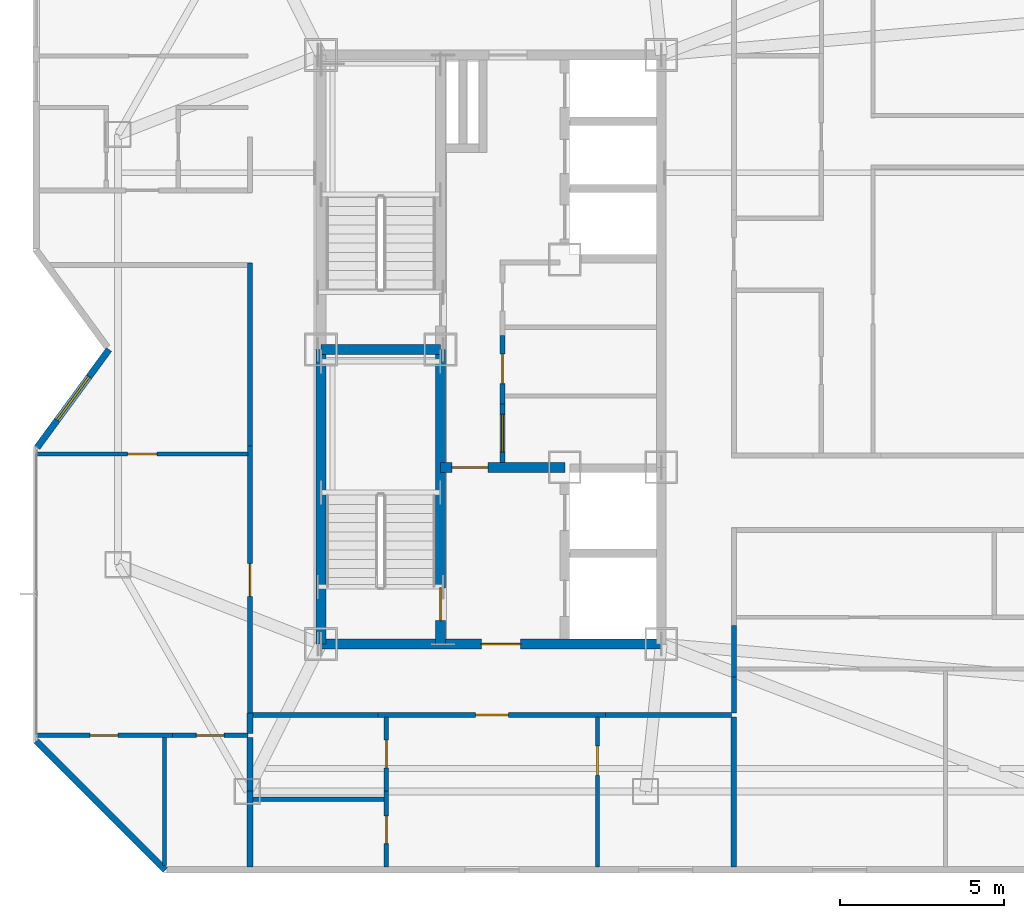
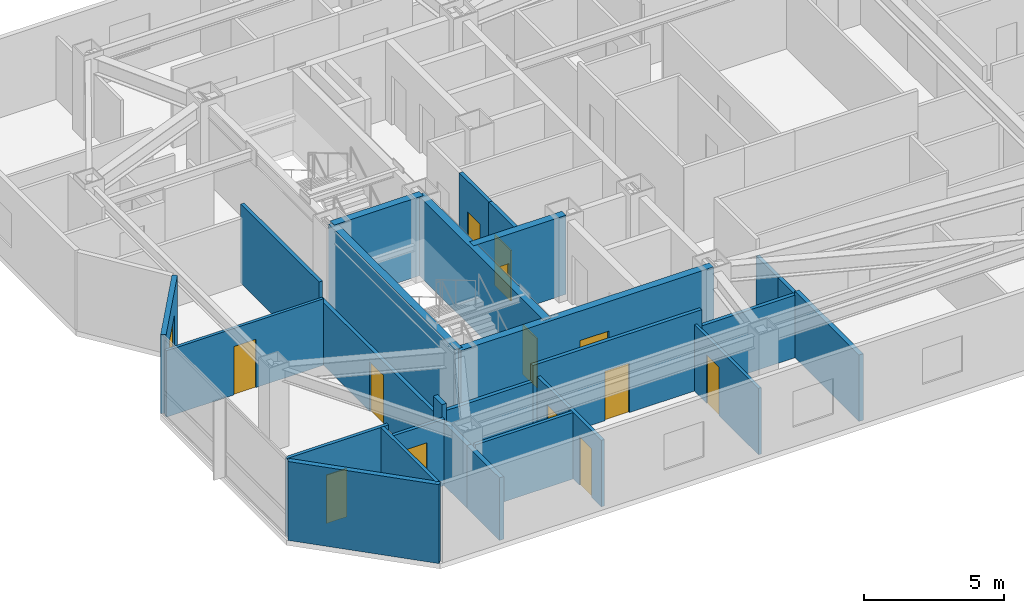
# One storey, part 8 of 14: 28 walls, 13 doors, 1 window, 14 openings.
"""IFC4 building model written with IfcOpenShell, lengths in metres."""

from ifc_helpers import new_model, si_unit, direction, frame, frame_2d, origin, place, context, subcontext, project, spatial, rectangle, extrude, material, layer, layer_set, type_object, element, fill, save


model = new_model("IFC4")

# Units and contexts
model_context = context("Model", 3, precision=1e-05, world=origin(), true_north=direction((0.0, 1.0)))
body_context = subcontext(model_context, "Body", "Model", "MODEL_VIEW")
ifc_project = project(units=[si_unit("LENGTHUNIT", "METRE"), si_unit("AREAUNIT", "SQUARE_METRE"), si_unit("VOLUMEUNIT", "CUBIC_METRE"), si_unit("PLANEANGLEUNIT", "RADIAN"), si_unit("MASSUNIT", "GRAM", prefix="KILO")], contexts=[model_context])

# Site, building, storey
site_placement = place(None, origin())
site = spatial("IfcSite", under=ifc_project, at=site_placement, CompositionType="ELEMENT")
building_placement = place(site_placement, origin())
building = spatial("IfcBuilding", under=site, at=building_placement, Name="Khamvora Tower", CompositionType="ELEMENT")
storey_placement = place(building_placement, frame((0.0, 0.0, 253.699951171875)))
storey = spatial("IfcBuildingStorey", under=building, at=storey_placement, Name="L65", CompositionType="ELEMENT", Elevation=253.699951171875)

# Wall
ifc_material_1 = material(Name="Concrete C50/60", Category="concrete")
ifc_layer_1 = layer(ifc_material_1, 0.300048828125)
ifc_layer_set_1 = layer_set([ifc_layer_1], Name="Concrete C50/60")
wall_type_1 = type_object("IfcWallType", Name="WAL-CORE-300", PredefinedType="SHEAR", material=ifc_layer_set_1)
wall_1_placement = place(storey_placement, frame((29.0, 19.0, 0.0), z_axis=(0.0, 0.0, 1.0), x_axis=(0.0, 1.0, 0.0)))
element("IfcWall", 1, at=wall_1_placement, inside=storey, type_object=wall_type_1, Name="L65 central core west south wall", PredefinedType="SHEAR", context=body_context, shape_type="SweptSolid", body=[
    extrude(rectangle(XDim=9.0, YDim=0.300048828125, at=frame_2d((4.5, 0.0))), origin(), (0.0, 0.0, 1.0), 3.429931640625),
])

# Wall, opening, door
wall_2_placement = place(storey_placement, frame((29.0, 19.0, 0.0), z_axis=(0.0, 0.0, 1.0), x_axis=(1.0, 0.0, 0.0)))
wall_2 = element("IfcWall", 2, at=wall_2_placement, inside=storey, type_object=wall_type_1, Name="L65 central core south wall", PredefinedType="SHEAR", context=body_context, shape_type="SweptSolid", body=[
    extrude(rectangle(XDim=10.39990234375, YDim=0.300048828125, at=frame_2d((5.199951171875, 0.0))), origin(), (0.0, 0.0, 1.0), 3.429931640625),
])
opening_1_placement = place(wall_2_placement, frame((4.89990234375, 0.0, 0.0)))
opening_1 = element("IfcOpeningElement", 3, at=opening_1_placement, cuts=wall_2, Name="Opening D-CR1", PredefinedType="OPENING", context=body_context, shape_type="SweptSolid", body=[
    extrude(rectangle(XDim=1.199951171875, YDim=2.14990234375, at=frame_2d((0.60009765625, 1.074951171875))), frame((0.0, 0.159912109375, 0.0), z_axis=(0.0, -1.0, 0.0), x_axis=(1.0, 0.0, 0.0)), (0.0, 0.0, 1.0), 0.320068359375),
])
ifc_material_2 = material(Name="Powder-Coated Steel and Hardwood Leaf", Category="steel")
door_type_1 = type_object("IfcDoorType", Name="DOR-CORR-1200", OperationType="NOTDEFINED", PredefinedType="DOOR", material=ifc_material_2)
door_1_placement = place(opening_1_placement, origin())
door_1 = element("IfcDoor", 4, at=door_1_placement, inside=storey, type_object=door_type_1, Name="L65 south core lobby to corridor fire door", OperationType="SINGLE_SWING_RIGHT", OverallHeight=2.14990234375, OverallWidth=1.199951171875, PredefinedType="DOOR", context=body_context, shape_type="SweptSolid", body=[
    extrude(rectangle(XDim=1.199951171875, YDim=2.14990234375, at=frame_2d((0.60009765625, 1.074951171875))), frame((0.0, 0.02490234375, 0.0), z_axis=(0.0, -1.0, 0.0), x_axis=(1.0, 0.0, 0.0)), (0.0, 0.0, 1.0), 0.050048828125),
])
fill(opening_1, door_1)

wall_3_placement = place(storey_placement, frame((32.64990234375, 19.0, 0.0), z_axis=(0.0, 0.0, 1.0), x_axis=(0.0, 1.0, 0.0)))
wall_3 = element("IfcWall", 5, at=wall_3_placement, inside=storey, type_object=wall_type_1, Name="L65 central core stair south spine wall", PredefinedType="SHEAR", context=body_context, shape_type="SweptSolid", body=[
    extrude(rectangle(XDim=9.0, YDim=0.300048828125, at=frame_2d((4.5, 0.0))), origin(), (0.0, 0.0, 1.0), 3.429931640625),
])
opening_2_placement = place(wall_3_placement, frame((0.719970703125, 0.0, 0.0)))
opening_2 = element("IfcOpeningElement", 6, at=opening_2_placement, cuts=wall_3, Name="Opening D-ST1", PredefinedType="OPENING", context=body_context, shape_type="SweptSolid", body=[
    extrude(rectangle(XDim=1.0, YDim=2.14990234375, at=frame_2d((0.5, 1.074951171875))), frame((0.0, 0.159912109375, 0.0), z_axis=(0.0, -1.0, 0.0), x_axis=(1.0, 0.0, 0.0)), (0.0, 0.0, 1.0), 0.320068359375),
])
door_type_2 = type_object("IfcDoorType", Name="DOR-STAIR-1000", OperationType="NOTDEFINED", PredefinedType="DOOR", material=ifc_material_2)
door_2_placement = place(opening_2_placement, origin())
door_2 = element("IfcDoor", 7, at=door_2_placement, inside=storey, type_object=door_type_2, Name="L65 exit stair ST-01 fire door", OperationType="SINGLE_SWING_RIGHT", OverallHeight=2.14990234375, OverallWidth=1.0, PredefinedType="DOOR", context=body_context, shape_type="SweptSolid", body=[
    extrude(rectangle(XDim=1.0, YDim=2.14990234375, at=frame_2d((0.5, 1.074951171875))), frame((0.0, 0.02490234375, 0.0), z_axis=(0.0, -1.0, 0.0), x_axis=(1.0, 0.0, 0.0)), (0.0, 0.0, 1.0), 0.050048828125),
])
fill(opening_2, door_2)

# Wall
wall_4_placement = place(storey_placement, frame((29.0, 28.0, 0.0), z_axis=(0.0, 0.0, 1.0), x_axis=(1.0, 0.0, 0.0)))
element("IfcWall", 8, at=wall_4_placement, inside=storey, type_object=wall_type_1, Name="L65 central core stair cross wall", PredefinedType="SHEAR", context=body_context, shape_type="SweptSolid", body=[
    extrude(rectangle(XDim=3.64990234375, YDim=0.300048828125, at=frame_2d((1.824951171875, 0.0))), origin(), (0.0, 0.0, 1.0), 3.429931640625),
])

# Wall, opening, door
wall_5_placement = place(storey_placement, frame((32.64990234375, 24.39990234375, 0.0), z_axis=(0.0, 0.0, 1.0), x_axis=(1.0, 0.0, 0.0)))
wall_5 = element("IfcWall", 9, at=wall_5_placement, inside=storey, type_object=wall_type_1, Name="L65 central core firefighting lobby north wall", PredefinedType="SHEAR", context=body_context, shape_type="SweptSolid", body=[
    extrude(rectangle(XDim=3.800048828125, YDim=0.300048828125, at=frame_2d((1.89990234375, 0.0))), origin(), (0.0, 0.0, 1.0), 3.429931640625),
])
opening_3_placement = place(wall_5_placement, frame((0.35009765625, 0.0, 0.0)))
opening_3 = element("IfcOpeningElement", 10, at=opening_3_placement, cuts=wall_5, Name="Opening D-FF1", PredefinedType="OPENING", context=body_context, shape_type="SweptSolid", body=[
    extrude(rectangle(XDim=1.10009765625, YDim=2.14990234375, at=frame_2d((0.550048828125, 1.074951171875))), frame((0.0, 0.159912109375, 0.0), z_axis=(0.0, -1.0, 0.0), x_axis=(1.0, 0.0, 0.0)), (0.0, 0.0, 1.0), 0.320068359375),
])
door_type_3 = type_object("IfcDoorType", Name="DOR-FFLOB-1100", OperationType="NOTDEFINED", PredefinedType="DOOR", material=ifc_material_2)
door_3_placement = place(opening_3_placement, origin())
door_3 = element("IfcDoor", 11, at=door_3_placement, inside=storey, type_object=door_type_3, Name="L65 firefighting lobby smoke-seal fire door", OperationType="SINGLE_SWING_LEFT", OverallHeight=2.14990234375, OverallWidth=1.10009765625, PredefinedType="DOOR", context=body_context, shape_type="SweptSolid", body=[
    extrude(rectangle(XDim=1.10009765625, YDim=2.14990234375, at=frame_2d((0.550048828125, 1.074951171875))), frame((0.0, 0.02490234375, 0.0), z_axis=(0.0, -1.0, 0.0), x_axis=(1.0, 0.0, 0.0)), (0.0, 0.0, 1.0), 0.050048828125),
])
fill(opening_3, door_3)

ifc_material_3 = material(Name="Fire-Rated Drywall and Steel Stud", Category="steel")
ifc_layer_2 = layer(ifc_material_3, 0.14990234375)
ifc_layer_set_2 = layer_set([ifc_layer_2], Name="Fire-Rated Drywall and Steel Stud")
wall_type_2 = type_object("IfcWallType", Name="WAL-CORR-150", PredefinedType="STANDARD", material=ifc_layer_set_2)
wall_6_placement = place(storey_placement, frame((34.544921875, 28.43603515625, 0.0), z_axis=(0.0, 0.0, 1.0), x_axis=(0.0, -1.0, 0.0)))
wall_6 = element("IfcWall", 12, at=wall_6_placement, inside=storey, type_object=wall_type_2, Name="L65 interior partition wall 003", PredefinedType="STANDARD", context=body_context, shape_type="SweptSolid", body=[
    extrude(rectangle(XDim=2.10009765625, YDim=0.14990234375, at=frame_2d((1.050048828125, 0.0))), origin(), (0.0, 0.0, 1.0), 3.429931640625),
])
opening_4_placement = place(wall_6_placement, frame((0.5791015625, 0.0, 0.0)))
opening_4 = element("IfcOpeningElement", 13, at=opening_4_placement, cuts=wall_6, Name="Opening D-RM1", PredefinedType="OPENING", context=body_context, shape_type="SweptSolid", body=[
    extrude(rectangle(XDim=0.89990234375, YDim=2.10009765625, at=frame_2d((0.449951171875, 1.050048828125))), frame((0.0, 0.0849609375, 0.0), z_axis=(0.0, -1.0, 0.0), x_axis=(1.0, 0.0, 0.0)), (0.0, 0.0, 1.0), 0.169921875),
])
door_type_4 = type_object("IfcDoorType", Name="DOR-ROOM-900", OperationType="NOTDEFINED", PredefinedType="DOOR", material=ifc_material_2)
door_4_placement = place(opening_4_placement, origin())
door_4 = element("IfcDoor", 14, at=door_4_placement, inside=storey, type_object=door_type_4, Name="L65 interior door PHL-CS2", OperationType="SINGLE_SWING_LEFT", OverallHeight=2.10009765625, OverallWidth=0.89990234375, PredefinedType="DOOR", context=body_context, shape_type="SweptSolid", body=[
    extrude(rectangle(XDim=0.89990234375, YDim=2.10009765625, at=frame_2d((0.449951171875, 1.050048828125))), frame((0.0, 0.02490234375, 0.0), z_axis=(0.0, -1.0, 0.0), x_axis=(1.0, 0.0, 0.0)), (0.0, 0.0, 1.0), 0.050048828125),
])
fill(opening_4, door_4)

wall_7_placement = place(storey_placement, frame((34.544921875, 26.3359375, 0.0), z_axis=(0.0, 0.0, 1.0), x_axis=(0.0, -1.0, 0.0)))
wall_7 = element("IfcWall", 15, at=wall_7_placement, inside=storey, type_object=wall_type_2, Name="L65 interior partition wall 004", PredefinedType="STANDARD", context=body_context, shape_type="SweptSolid", body=[
    extrude(rectangle(XDim=1.7919921875, YDim=0.14990234375, at=frame_2d((0.89599609375, 0.0))), origin(), (0.0, 0.0, 1.0), 3.429931640625),
])
opening_5_placement = place(wall_7_placement, frame((0.321044921875, 0.0, 0.0)))
opening_5 = element("IfcOpeningElement", 16, at=opening_5_placement, cuts=wall_7, Name="Opening D-SC1", PredefinedType="OPENING", context=body_context, shape_type="SweptSolid", body=[
    extrude(rectangle(XDim=1.14990234375, YDim=2.199951171875, at=frame_2d((0.574951171875, 1.10009765625))), frame((0.0, 0.0849609375, 0.0), z_axis=(0.0, -1.0, 0.0), x_axis=(1.0, 0.0, 0.0)), (0.0, 0.0, 1.0), 0.169921875),
])
door_type_5 = type_object("IfcDoorType", Name="DOR-SCHL-1150", OperationType="NOTDEFINED", PredefinedType="DOOR", material=ifc_material_2)
door_5_placement = place(opening_5_placement, origin())
door_5 = element("IfcDoor", 17, at=door_5_placement, inside=storey, type_object=door_type_5, Name="L65 interior door PHL-CS3", OperationType="SINGLE_SWING_RIGHT", OverallHeight=2.199951171875, OverallWidth=1.14990234375, PredefinedType="DOOR", context=body_context, shape_type="SweptSolid", body=[
    extrude(rectangle(XDim=1.14990234375, YDim=2.199951171875, at=frame_2d((0.574951171875, 1.10009765625))), frame((0.0, 0.02490234375, 0.0), z_axis=(0.0, -1.0, 0.0), x_axis=(1.0, 0.0, 0.0)), (0.0, 0.0, 1.0), 0.050048828125),
])
fill(opening_5, door_5)

wall_8_placement = place(storey_placement, frame((26.8349609375, 16.89990234375, 0.0), z_axis=(0.0, 0.0, 1.0), x_axis=(0.0, 1.0, 0.0)))
wall_8 = element("IfcWall", 18, at=wall_8_placement, inside=storey, type_object=wall_type_2, Name="L65 interior partition wall 008", PredefinedType="STANDARD", context=body_context, shape_type="SweptSolid", body=[
    extrude(rectangle(XDim=8.1591796875, YDim=0.14990234375, at=frame_2d((4.07958984375, 0.0))), origin(), (0.0, 0.0, 1.0), 2.72509765625),
])
opening_6_placement = place(wall_8_placement, frame((3.55908203125, 0.0, 0.0)))
opening_6 = element("IfcOpeningElement", 19, at=opening_6_placement, cuts=wall_8, Name="Opening D-U1", PredefinedType="OPENING", context=body_context, shape_type="SweptSolid", body=[
    extrude(rectangle(XDim=1.0, YDim=2.14990234375, at=frame_2d((0.5, 1.074951171875))), frame((0.0, 0.0849609375, 0.0), z_axis=(0.0, -1.0, 0.0), x_axis=(1.0, 0.0, 0.0)), (0.0, 0.0, 1.0), 0.169921875),
])
door_type_6 = type_object("IfcDoorType", Name="DOR-UNIT-1000", OperationType="NOTDEFINED", PredefinedType="DOOR", material=ifc_material_2)
door_6_placement = place(opening_6_placement, origin())
door_6 = element("IfcDoor", 20, at=door_6_placement, inside=storey, type_object=door_type_6, Name="L65 interior door COR-65WAH", OperationType="SINGLE_SWING_RIGHT", OverallHeight=2.14990234375, OverallWidth=1.0, PredefinedType="DOOR", context=body_context, shape_type="SweptSolid", body=[
    extrude(rectangle(XDim=1.0, YDim=2.14990234375, at=frame_2d((0.5, 1.074951171875))), frame((0.0, 0.02490234375, 0.0), z_axis=(0.0, -1.0, 0.0), x_axis=(1.0, 0.0, 0.0)), (0.0, 0.0, 1.0), 0.050048828125),
])
fill(opening_6, door_6)

# Wall
wall_9_placement = place(storey_placement, frame((26.8349609375, 25.05908203125, 0.0), z_axis=(0.0, 0.0, 1.0), x_axis=(0.0, 1.0, 0.0)))
element("IfcWall", 21, at=wall_9_placement, inside=storey, type_object=wall_type_2, Name="L65 interior partition wall 009", PredefinedType="STANDARD", context=body_context, shape_type="SweptSolid", body=[
    extrude(rectangle(XDim=5.5908203125, YDim=0.14990234375, at=frame_2d((2.79541015625, 0.0))), origin(), (0.0, 0.0, 1.0), 3.429931640625),
])

# Wall, opening, door
wall_10_placement = place(storey_placement, frame((37.698974609375, 16.8349609375, 0.0), z_axis=(0.0, 0.0, 1.0), x_axis=(-1.0, 0.0, 0.0)))
wall_10 = element("IfcWall", 22, at=wall_10_placement, inside=storey, type_object=wall_type_2, Name="L65 interior partition wall 014", PredefinedType="STANDARD", context=body_context, shape_type="SweptSolid", body=[
    extrude(rectangle(XDim=6.947998046875, YDim=0.14990234375, at=frame_2d((3.47412109375, 0.0))), origin(), (0.0, 0.0, 1.0), 3.429931640625),
])
opening_7_placement = place(wall_10_placement, frame((2.97412109375, 0.0, 0.0)))
opening_7 = element("IfcOpeningElement", 23, at=opening_7_placement, cuts=wall_10, Name="Opening D-U1", PredefinedType="OPENING", context=body_context, shape_type="SweptSolid", body=[
    extrude(rectangle(XDim=1.0, YDim=2.14990234375, at=frame_2d((0.5, 1.074951171875))), frame((0.0, 0.0849609375, 0.0), z_axis=(0.0, -1.0, 0.0), x_axis=(1.0, 0.0, 0.0)), (0.0, 0.0, 1.0), 0.169921875),
])
door_7_placement = place(opening_7_placement, origin())
door_7 = element("IfcDoor", 24, at=door_7_placement, inside=storey, type_object=door_type_6, Name="L65 interior door COR-65SAH", OperationType="SINGLE_SWING_RIGHT", OverallHeight=2.14990234375, OverallWidth=1.0, PredefinedType="DOOR", context=body_context, shape_type="SweptSolid", body=[
    extrude(rectangle(XDim=1.0, YDim=2.14990234375, at=frame_2d((0.5, 1.074951171875))), frame((0.0, 0.02490234375, 0.0), z_axis=(0.0, -1.0, 0.0), x_axis=(1.0, 0.0, 0.0)), (0.0, 0.0, 1.0), 0.050048828125),
])
fill(opening_7, door_7)

# Walls
for number, where, z_axis, x_axis, name in (
    (25, (30.7509765625, 16.8349609375, 0.0), (0.0, 0.0, 1.0), (-1.0, 0.0, 0.0), "L65 interior partition wall 015"),
    (26, (41.550048828125, 16.8349609375, 0.0), (0.0, 0.0, 1.0), (-1.0, 0.0, 0.0), "L65 interior partition wall 016"),
):
    element("IfcWall", number, at=place(storey_placement, frame(where, z_axis=z_axis, x_axis=x_axis)), inside=storey, type_object=wall_type_2, Name=name, PredefinedType="STANDARD", context=body_context, shape_type="SweptSolid", body=[
        extrude(rectangle(XDim=3.85107421875, YDim=0.14990234375, at=frame_2d((1.925537109375, 0.0))), origin(), (0.0, 0.0, 1.0), 2.72509765625),
    ])
wall_11_placement = place(storey_placement, frame((41.614990234375, 19.570068359375, 0.0), z_axis=(0.0, 0.0, 1.0), x_axis=(0.0, -1.0, 0.0)))
element("IfcWall", 27, at=wall_11_placement, inside=storey, type_object=wall_type_2, Name="L65 interior partition wall 024", PredefinedType="STANDARD", context=body_context, shape_type="SweptSolid", body=[
    extrude(rectangle(XDim=1.580078125, YDim=0.14990234375, at=frame_2d((0.7900390625, 0.0))), origin(), (0.0, 0.0, 1.0), 2.72509765625),
])
wall_12_placement = place(storey_placement, frame((41.614990234375, 17.989990234375, 0.0), z_axis=(0.0, 0.0, 1.0), x_axis=(0.0, -1.0, 0.0)))
element("IfcWall", 28, at=wall_12_placement, inside=storey, type_object=wall_type_2, Name="L65 interior partition wall 027", PredefinedType="STANDARD", context=body_context, shape_type="SweptSolid", body=[
    extrude(rectangle(XDim=1.090087890625, YDim=0.14990234375, at=frame_2d((0.544921875, 0.0))), origin(), (0.0, 0.0, 1.0), 2.72509765625),
])
ifc_material_4 = material(Name="Acoustic Double-Stud Fire Wall", Category="gypsum")
ifc_layer_3 = layer(ifc_material_4, 0.179931640625)
ifc_layer_set_3 = layer_set([ifc_layer_3], Name="Acoustic Double-Stud Fire Wall")
wall_type_3 = type_object("IfcWallType", Name="WAL-CORR-180", PredefinedType="STANDARD", material=ifc_layer_set_3)
wall_13_placement = place(storey_placement, frame((26.8349609375, 16.89990234375, 0.0), z_axis=(0.0, 0.0, 1.0), x_axis=(0.0, -1.0, 0.0)))
element("IfcWall", 29, at=wall_13_placement, inside=storey, type_object=wall_type_3, Name="L65 interior partition wall 045", PredefinedType="STANDARD", context=body_context, shape_type="SweptSolid", body=[
    extrude(rectangle(XDim=0.625, YDim=0.179931640625, at=frame_2d((0.3125, 0.0))), origin(), (0.0, 0.0, 1.0), 3.429931640625),
])
wall_14_placement = place(storey_placement, frame((26.8349609375, 14.509033203125, 0.0), z_axis=(0.0, 0.0, 1.0), x_axis=(0.0, -1.0, 0.0)))
element("IfcWall", 30, at=wall_14_placement, inside=storey, type_object=wall_type_3, Name="L65 interior partition wall 047", PredefinedType="STANDARD", context=body_context, shape_type="SweptSolid", body=[
    extrude(rectangle(XDim=2.317138671875, YDim=0.179931640625, at=frame_2d((1.15869140625, 0.0))), origin(), (0.0, 0.0, 1.0), 2.72509765625),
])
wall_15_placement = place(storey_placement, frame((26.8349609375, 16.14501953125, 0.0), z_axis=(0.0, 0.0, 1.0), x_axis=(0.0, -1.0, 0.0)))
element("IfcWall", 31, at=wall_15_placement, inside=storey, type_object=wall_type_3, Name="L65 interior partition wall 048", PredefinedType="STANDARD", context=body_context, shape_type="SweptSolid", body=[
    extrude(rectangle(XDim=1.635986328125, YDim=0.179931640625, at=frame_2d((0.81787109375, 0.0))), origin(), (0.0, 0.0, 1.0), 2.72509765625),
])
wall_16_placement = place(storey_placement, frame((41.614990234375, 16.77001953125, 0.0), z_axis=(0.0, 0.0, 1.0), x_axis=(0.0, -1.0, 0.0)))
element("IfcWall", 32, at=wall_16_placement, inside=storey, type_object=wall_type_3, Name="L65 interior partition wall 058", PredefinedType="STANDARD", context=body_context, shape_type="SweptSolid", body=[
    extrude(rectangle(XDim=4.578125, YDim=0.179931640625, at=frame_2d((2.2890625, 0.0))), origin(), (0.0, 0.0, 1.0), 2.886962890625),
])
ifc_material_5 = material(Name="Precast concrete C40/50", Category="concrete")
ifc_layer_4 = layer(ifc_material_5, 0.199951171875)
ifc_layer_set_4 = layer_set([ifc_layer_4], Name="Precast concrete C40/50")
wall_type_4 = type_object("IfcWallType", Name="WAL-EXT-200", PredefinedType="STANDARD", material=ifc_layer_set_4)
wall_17_placement = place(storey_placement, frame((24.240966796875, 12.10009765625, 0.0), z_axis=(0.0, 0.0, 1.0), x_axis=(-0.707106781187, 0.707106781187, 0.0)))
element("IfcWall", 33, at=wall_17_placement, inside=storey, type_object=wall_type_4, Name="L65 exterior facade wall 01.1", PredefinedType="STANDARD", context=body_context, shape_type="SweptSolid", body=[
    extrude(rectangle(XDim=5.5732421875, YDim=0.199951171875, at=frame_2d((2.78662109375, 0.0))), origin(), (0.0, 0.0, 1.0), 3.429931640625),
])

# Wall, opening, window
wall_18_placement = place(storey_placement, frame((20.3291015625, 25.007080078125, 0.0), z_axis=(0.0, 0.0, 1.0), x_axis=(0.591366515379, 0.806402904564, 0.0)))
wall_18 = element("IfcWall", 34, at=wall_18_placement, inside=storey, type_object=wall_type_4, Name="L65 exterior facade wall 03.1", PredefinedType="STANDARD", context=body_context, shape_type="SweptSolid", body=[
    extrude(rectangle(XDim=3.71142578125, YDim=0.199951171875, at=frame_2d((1.855712890625, 0.0))), origin(), (0.0, 0.0, 1.0), 3.429931640625),
])
opening_8_placement = place(wall_18_placement, frame((1.031005859375, 0.0, 0.85009765625)))
opening_8 = element("IfcOpeningElement", 35, at=opening_8_placement, cuts=wall_18, Name="Opening WN-06", PredefinedType="OPENING", context=body_context, shape_type="SweptSolid", body=[
    extrude(rectangle(XDim=1.64990234375, YDim=1.550048828125, at=frame_2d((0.824951171875, 0.77490234375))), frame((0.0, 0.10986328125, 0.0), z_axis=(0.0, -1.0, 0.0), x_axis=(1.0, 0.0, 0.0)), (0.0, 0.0, 1.0), 0.219970703125),
])
ifc_material_6 = material(Name="Low-E Laminated Double Glazing", Category="glass")
window_type = type_object("IfcWindowType", Name="WIN-VIS-1650x1550", PartitioningType="SINGLE_PANEL", PredefinedType="WINDOW", material=ifc_material_6)
window_placement = place(opening_8_placement, origin())
window = element("IfcWindow", 36, at=window_placement, inside=storey, type_object=window_type, Name="L65 vision window 03.1.01", OverallHeight=1.550048828125, OverallWidth=1.64990234375, PartitioningType="SINGLE_PANEL", PredefinedType="WINDOW", context=body_context, shape_type="SweptSolid", body=[
    extrude(rectangle(XDim=1.64990234375, YDim=1.550048828125, at=frame_2d((0.824951171875, 0.77490234375))), frame((0.0, 0.030029296875, 0.0), z_axis=(0.0, -1.0, 0.0), x_axis=(1.0, 0.0, 0.0)), (0.0, 0.0, 1.0), 0.06005859375),
])
fill(opening_8, window)

# Wall, opening, door
ifc_material_7 = material(Name="Gypsum Plasterboard Partition", Category="gypsum")
ifc_layer_5 = layer(ifc_material_7, 0.1201171875)
ifc_layer_set_5 = layer_set([ifc_layer_5], Name="Gypsum Plasterboard Partition")
wall_type_5 = type_object("IfcWallType", Name="WAL-PART-120", PredefinedType="PARTITIONING", material=ifc_layer_set_5)
wall_19_placement = place(storey_placement, frame((20.31005859375, 24.81005859375, 0.0), z_axis=(0.0, 0.0, 1.0), x_axis=(1.0, 0.0, 0.0)))
wall_19 = element("IfcWall", 37, at=wall_19_placement, inside=storey, type_object=wall_type_5, Name="L65 interior partition wall 044", PredefinedType="PARTITIONING", context=body_context, shape_type="SweptSolid", body=[
    extrude(rectangle(XDim=6.4599609375, YDim=0.1201171875, at=frame_2d((3.22998046875, 0.0))), origin(), (0.0, 0.0, 1.0), 2.886962890625),
])
opening_9_placement = place(wall_19_placement, frame((2.780029296875, 0.0, 0.0)))
opening_9 = element("IfcOpeningElement", 38, at=opening_9_placement, cuts=wall_19, Name="Opening D-RM1", PredefinedType="OPENING", context=body_context, shape_type="SweptSolid", body=[
    extrude(rectangle(XDim=0.89990234375, YDim=2.10009765625, at=frame_2d((0.449951171875, 1.050048828125))), frame((0.0, 0.070068359375, 0.0), z_axis=(0.0, -1.0, 0.0), x_axis=(1.0, 0.0, 0.0)), (0.0, 0.0, 1.0), 0.14013671875),
])
door_8_placement = place(opening_9_placement, origin())
door_8 = element("IfcDoor", 39, at=door_8_placement, inside=storey, type_object=door_type_4, Name="L65 interior door 65WAH-65WAR1", OperationType="SINGLE_SWING_LEFT", OverallHeight=2.10009765625, OverallWidth=0.89990234375, PredefinedType="DOOR", context=body_context, shape_type="SweptSolid", body=[
    extrude(rectangle(XDim=0.89990234375, YDim=2.10009765625, at=frame_2d((0.449951171875, 1.050048828125))), frame((0.0, 0.02490234375, 0.0), z_axis=(0.0, -1.0, 0.0), x_axis=(1.0, 0.0, 0.0)), (0.0, 0.0, 1.0), 0.050048828125),
])
fill(opening_9, door_8)

wall_20_placement = place(storey_placement, frame((37.449951171875, 16.77001953125, 0.0), z_axis=(0.0, 0.0, 1.0), x_axis=(0.0, -1.0, 0.0)))
wall_20 = element("IfcWall", 40, at=wall_20_placement, inside=storey, type_object=wall_type_5, Name="L65 interior partition wall 056", PredefinedType="PARTITIONING", context=body_context, shape_type="SweptSolid", body=[
    extrude(rectangle(XDim=4.578125, YDim=0.1201171875, at=frame_2d((2.2890625, 0.0))), origin(), (0.0, 0.0, 1.0), 2.886962890625),
])
opening_10_placement = place(wall_20_placement, frame((0.884033203125, 0.0, 0.0)))
opening_10 = element("IfcOpeningElement", 41, at=opening_10_placement, cuts=wall_20, Name="Opening D-RM1", PredefinedType="OPENING", context=body_context, shape_type="SweptSolid", body=[
    extrude(rectangle(XDim=0.89990234375, YDim=2.10009765625, at=frame_2d((0.449951171875, 1.050048828125))), frame((0.0, 0.070068359375, 0.0), z_axis=(0.0, -1.0, 0.0), x_axis=(1.0, 0.0, 0.0)), (0.0, 0.0, 1.0), 0.14013671875),
])
door_9_placement = place(opening_10_placement, origin())
door_9 = element("IfcDoor", 42, at=door_9_placement, inside=storey, type_object=door_type_4, Name="L65 interior door 65SAH-65SAR1", OperationType="SINGLE_SWING_LEFT", OverallHeight=2.10009765625, OverallWidth=0.89990234375, PredefinedType="DOOR", context=body_context, shape_type="SweptSolid", body=[
    extrude(rectangle(XDim=0.89990234375, YDim=2.10009765625, at=frame_2d((0.449951171875, 1.050048828125))), frame((0.0, 0.02490234375, 0.0), z_axis=(0.0, -1.0, 0.0), x_axis=(1.0, 0.0, 0.0)), (0.0, 0.0, 1.0), 0.050048828125),
])
fill(opening_10, door_9)

ifc_material_8 = material(Name="Moisture-Resistant Plasterboard Partition", Category="gypsum")
ifc_layer_6 = layer(ifc_material_8, 0.135009765625)
ifc_layer_set_6 = layer_set([ifc_layer_6], Name="Moisture-Resistant Plasterboard Partition")
wall_type_6 = type_object("IfcWallType", Name="WAL-WET-135", PredefinedType="PARTITIONING", material=ifc_layer_set_6)
wall_21_placement = place(storey_placement, frame((24.468994140625, 16.2099609375, 0.0), z_axis=(0.0, 0.0, 1.0), x_axis=(-1.0, 0.0, 0.0)))
wall_21 = element("IfcWall", 43, at=wall_21_placement, inside=storey, type_object=wall_type_6, Name="L65 interior partition wall 042", PredefinedType="PARTITIONING", context=body_context, shape_type="SweptSolid", body=[
    extrude(rectangle(XDim=4.158935546875, YDim=0.135009765625, at=frame_2d((2.07958984375, 0.0))), origin(), (0.0, 0.0, 1.0), 3.429931640625),
])
opening_11_placement = place(wall_21_placement, frame((1.675048828125, 0.0, 0.0)))
opening_11 = element("IfcOpeningElement", 44, at=opening_11_placement, cuts=wall_21, Name="Opening D-WC1", PredefinedType="OPENING", context=body_context, shape_type="SweptSolid", body=[
    extrude(rectangle(XDim=0.85009765625, YDim=2.10009765625, at=frame_2d((0.425048828125, 1.050048828125))), frame((0.0, 0.077392578125, 0.0), z_axis=(0.0, -1.0, 0.0), x_axis=(1.0, 0.0, 0.0)), (0.0, 0.0, 1.0), 0.155029296875),
])
door_type_7 = type_object("IfcDoorType", Name="DOR-WET-850", OperationType="NOTDEFINED", PredefinedType="DOOR", material=ifc_material_2)
door_10_placement = place(opening_11_placement, origin())
door_10 = element("IfcDoor", 45, at=door_10_placement, inside=storey, type_object=door_type_7, Name="L65 interior door 65WAH-65WAB", OperationType="SINGLE_SWING_LEFT", OverallHeight=2.10009765625, OverallWidth=0.85009765625, PredefinedType="DOOR", context=body_context, shape_type="SweptSolid", body=[
    extrude(rectangle(XDim=0.85009765625, YDim=2.10009765625, at=frame_2d((0.425048828125, 1.050048828125))), frame((0.0, 0.02490234375, 0.0), z_axis=(0.0, -1.0, 0.0), x_axis=(1.0, 0.0, 0.0)), (0.0, 0.0, 1.0), 0.050048828125),
])
fill(opening_11, door_10)

wall_22_placement = place(storey_placement, frame((26.77001953125, 16.2099609375, 0.0), z_axis=(0.0, 0.0, 1.0), x_axis=(-1.0, 0.0, 0.0)))
wall_22 = element("IfcWall", 46, at=wall_22_placement, inside=storey, type_object=wall_type_6, Name="L65 interior partition wall 043", PredefinedType="PARTITIONING", context=body_context, shape_type="SweptSolid", body=[
    extrude(rectangle(XDim=2.301025390625, YDim=0.135009765625, at=frame_2d((1.150390625, 0.0))), origin(), (0.0, 0.0, 1.0), 2.886962890625),
])
opening_12_placement = place(wall_22_placement, frame((0.72607421875, 0.0, 0.0)))
opening_12 = element("IfcOpeningElement", 47, at=opening_12_placement, cuts=wall_22, Name="Opening D-RM2", PredefinedType="OPENING", context=body_context, shape_type="SweptSolid", body=[
    extrude(rectangle(XDim=0.85009765625, YDim=2.10009765625, at=frame_2d((0.425048828125, 1.050048828125))), frame((0.0, 0.077392578125, 0.0), z_axis=(0.0, -1.0, 0.0), x_axis=(1.0, 0.0, 0.0)), (0.0, 0.0, 1.0), 0.155029296875),
])
door_type_8 = type_object("IfcDoorType", Name="DOR-ROOM-850", OperationType="NOTDEFINED", PredefinedType="DOOR", material=ifc_material_2)
door_11_placement = place(opening_12_placement, origin())
door_11 = element("IfcDoor", 48, at=door_11_placement, inside=storey, type_object=door_type_8, Name="L65 interior door 65WAH-65WAK", OperationType="SINGLE_SWING_RIGHT", OverallHeight=2.10009765625, OverallWidth=0.85009765625, PredefinedType="DOOR", context=body_context, shape_type="SweptSolid", body=[
    extrude(rectangle(XDim=0.85009765625, YDim=2.10009765625, at=frame_2d((0.425048828125, 1.050048828125))), frame((0.0, 0.02490234375, 0.0), z_axis=(0.0, -1.0, 0.0), x_axis=(1.0, 0.0, 0.0)), (0.0, 0.0, 1.0), 0.050048828125),
])
fill(opening_12, door_11)

# Wall
wall_23_placement = place(storey_placement, frame((24.219970703125, 16.14892578125, 0.0), z_axis=(0.0, 0.0, 1.0), x_axis=(0.0, -1.0, 0.0)))
element("IfcWall", 49, at=wall_23_placement, inside=storey, type_object=wall_type_6, Name="L65 interior partition wall 046", PredefinedType="PARTITIONING", context=body_context, shape_type="SweptSolid", body=[
    extrude(rectangle(XDim=3.912841796875, YDim=0.135009765625, at=frame_2d((1.95654296875, 0.0))), origin(), (0.0, 0.0, 1.0), 3.429931640625),
])

# Wall, opening, door
wall_24_placement = place(storey_placement, frame((31.0, 12.19189453125, 0.0), z_axis=(0.0, 0.0, 1.0), x_axis=(0.0, 1.0, 0.0)))
wall_24 = element("IfcWall", 50, at=wall_24_placement, inside=storey, type_object=wall_type_6, Name="L65 interior partition wall 054", PredefinedType="PARTITIONING", context=body_context, shape_type="SweptSolid", body=[
    extrude(rectangle(XDim=2.317138671875, YDim=0.135009765625, at=frame_2d((1.15869140625, 0.0))), origin(), (0.0, 0.0, 1.0), 2.886962890625),
])
opening_13_placement = place(wall_24_placement, frame((0.7119140625, 0.0, 0.0)))
opening_13 = element("IfcOpeningElement", 51, at=opening_13_placement, cuts=wall_24, Name="Opening D-WC1", PredefinedType="OPENING", context=body_context, shape_type="SweptSolid", body=[
    extrude(rectangle(XDim=0.85009765625, YDim=2.10009765625, at=frame_2d((0.425048828125, 1.050048828125))), frame((0.0, 0.077392578125, 0.0), z_axis=(0.0, -1.0, 0.0), x_axis=(1.0, 0.0, 0.0)), (0.0, 0.0, 1.0), 0.155029296875),
])
door_12_placement = place(opening_13_placement, origin())
door_12 = element("IfcDoor", 52, at=door_12_placement, inside=storey, type_object=door_type_7, Name="L65 interior door 65SAH-65SAB", OperationType="SINGLE_SWING_RIGHT", OverallHeight=2.10009765625, OverallWidth=0.85009765625, PredefinedType="DOOR", context=body_context, shape_type="SweptSolid", body=[
    extrude(rectangle(XDim=0.85009765625, YDim=2.10009765625, at=frame_2d((0.425048828125, 1.050048828125))), frame((0.0, 0.02490234375, 0.0), z_axis=(0.0, -1.0, 0.0), x_axis=(1.0, 0.0, 0.0)), (0.0, 0.0, 1.0), 0.050048828125),
])
fill(opening_13, door_12)

wall_25_placement = place(storey_placement, frame((31.0, 14.509033203125, 0.0), z_axis=(0.0, 0.0, 1.0), x_axis=(0.0, 1.0, 0.0)))
wall_25 = element("IfcWall", 53, at=wall_25_placement, inside=storey, type_object=wall_type_6, Name="L65 interior partition wall 055", PredefinedType="PARTITIONING", context=body_context, shape_type="SweptSolid", body=[
    extrude(rectangle(XDim=2.260986328125, YDim=0.135009765625, at=frame_2d((1.13037109375, 0.0))), origin(), (0.0, 0.0, 1.0), 2.886962890625),
])
opening_14_placement = place(wall_25_placement, frame((0.7060546875, 0.0, 0.0)))
opening_14 = element("IfcOpeningElement", 54, at=opening_14_placement, cuts=wall_25, Name="Opening D-RM2", PredefinedType="OPENING", context=body_context, shape_type="SweptSolid", body=[
    extrude(rectangle(XDim=0.85009765625, YDim=2.10009765625, at=frame_2d((0.425048828125, 1.050048828125))), frame((0.0, 0.077392578125, 0.0), z_axis=(0.0, -1.0, 0.0), x_axis=(1.0, 0.0, 0.0)), (0.0, 0.0, 1.0), 0.155029296875),
])
door_13_placement = place(opening_14_placement, origin())
door_13 = element("IfcDoor", 55, at=door_13_placement, inside=storey, type_object=door_type_8, Name="L65 interior door 65SAH-65SAK", OperationType="SINGLE_SWING_LEFT", OverallHeight=2.10009765625, OverallWidth=0.85009765625, PredefinedType="DOOR", context=body_context, shape_type="SweptSolid", body=[
    extrude(rectangle(XDim=0.85009765625, YDim=2.10009765625, at=frame_2d((0.425048828125, 1.050048828125))), frame((0.0, 0.02490234375, 0.0), z_axis=(0.0, -1.0, 0.0), x_axis=(1.0, 0.0, 0.0)), (0.0, 0.0, 1.0), 0.050048828125),
])
fill(opening_14, door_13)

# Wall
wall_26_placement = place(storey_placement, frame((26.9169921875, 14.260009765625, 0.0), z_axis=(0.0, 0.0, 1.0), x_axis=(1.0, 0.0, 0.0)))
element("IfcWall", 56, at=wall_26_placement, inside=storey, type_object=wall_type_6, Name="L65 interior partition wall 057", PredefinedType="PARTITIONING", context=body_context, shape_type="SweptSolid", body=[
    extrude(rectangle(XDim=4.02197265625, YDim=0.135009765625, at=frame_2d((2.010986328125, 0.0))), origin(), (0.0, 0.0, 1.0), 2.886962890625),
])

save(model, "model.ifc")
